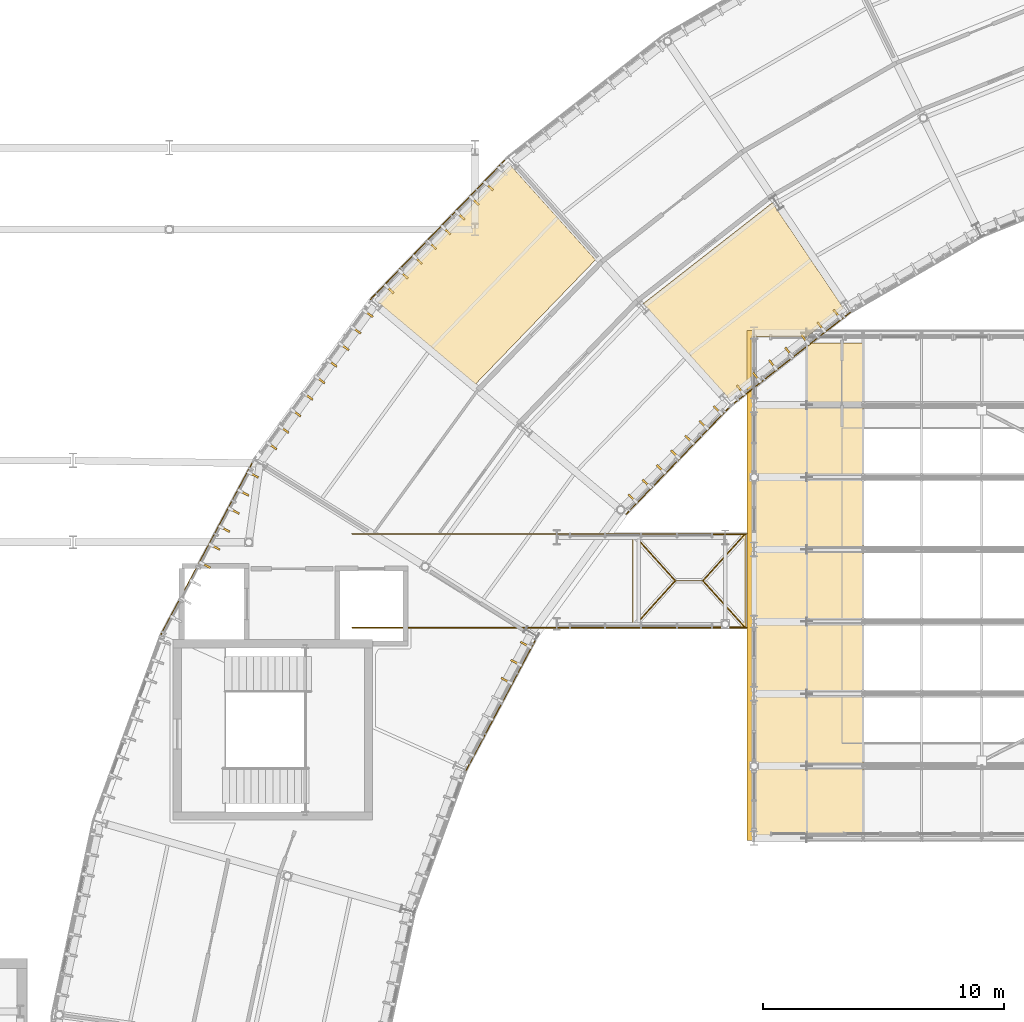
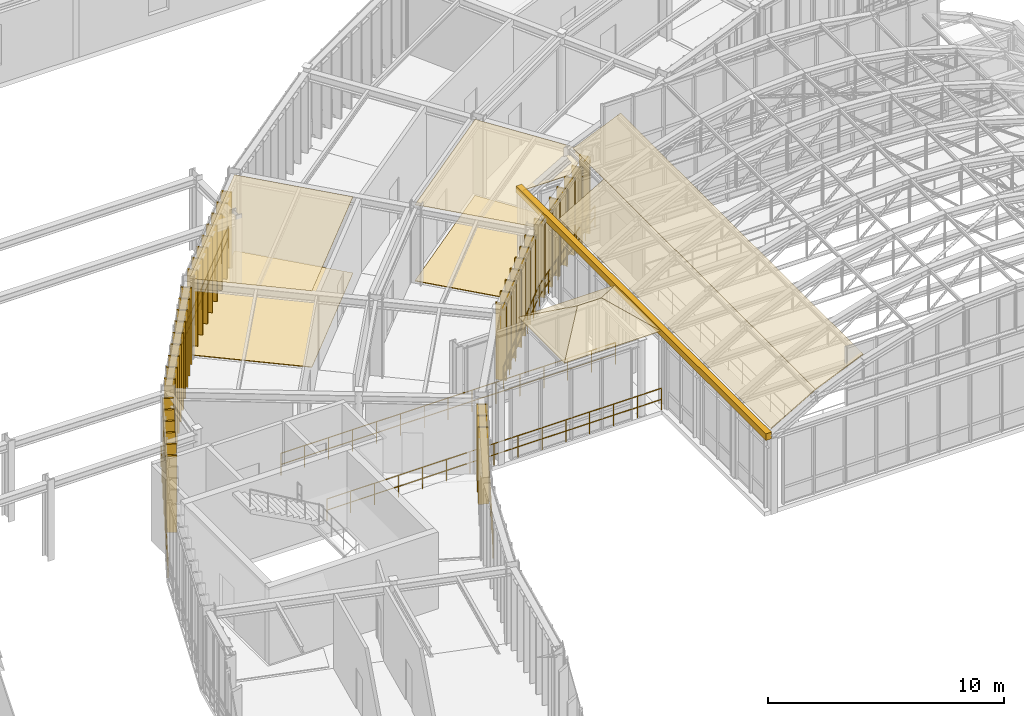
# One storey, part 140 of 148: 51 coverings, 7 railings.
"""IFC4 building model written with IfcOpenShell, lengths in metres."""

from ifc_helpers import new_model, si_unit, direction, frame, origin, origin_2d, place, context, subcontext, project, spatial, polyline, rectangle, circle, outline, extrude, material, layer, layer_set, type_object, element, save


model = new_model("IFC4")

# Units and contexts
model_context = context("Model", 3, precision=1e-05, world=origin(), true_north=direction((0.0, 1.0)))
body_context = subcontext(model_context, "Body", "Model", "MODEL_VIEW")
ifc_project = project(units=[si_unit("LENGTHUNIT", "METRE"), si_unit("AREAUNIT", "SQUARE_METRE"), si_unit("VOLUMEUNIT", "CUBIC_METRE"), si_unit("PLANEANGLEUNIT", "RADIAN"), si_unit("MASSUNIT", "GRAM", prefix="KILO"), si_unit("THERMODYNAMICTEMPERATUREUNIT", "KELVIN"), si_unit("POWERUNIT", "WATT")], contexts=[model_context])

# Site, building, storey
site_placement = place(None, origin())
site = spatial("IfcSite", under=ifc_project, at=site_placement, CompositionType="ELEMENT")
building_placement = place(site_placement, origin())
building = spatial("IfcBuilding", under=site, at=building_placement, Name="Solvatero Civic Police Headquarters", CompositionType="ELEMENT")
storey_placement = place(building_placement, frame((0.0, 0.0, 5.10009765625)))
storey = spatial("IfcBuildingStorey", under=building, at=storey_placement, Name="L01", CompositionType="ELEMENT", Elevation=5.10009765625)

# Coverings
ifc_material_1 = material(Name="Mineral-Fibre Acoustic Tile", Category="gypsum")
ifc_layer_1 = layer(ifc_material_1, 0.02490234375)
ifc_layer_set_1 = layer_set([ifc_layer_1], Name="Mineral-Fibre Acoustic Tile")
covering_type_1 = type_object("IfcCoveringType", Name="COV-CEIL-AC", PredefinedType="CEILING", material=ifc_layer_set_1)
covering_1_placement = place(storey_placement, frame((0.0, 0.0, 3.954833984375)))
element("IfcCovering", 1, at=covering_1_placement, inside=storey, type_object=covering_type_1, Name="Acoustic Ceiling Metropolitan Fraud Investigation Unit Bay 6", PredefinedType="CEILING", context=body_context, shape_type="SweptSolid", body=[
    extrude(outline(polyline([(63.736083984375, 59.790771484375), (60.19677734375, 63.7216796875), (65.560791015625, 67.912353515625), (68.518798828125, 63.52734375), (66.9990234375, 62.340087890625), (64.739990234375, 62.340087890625), (64.732177734375, 62.339599609375), (64.724365234375, 62.33837890625), (64.716796875, 62.336669921875), (64.70947265625, 62.333984375), (64.702392578125, 62.33056640625), (64.695556640625, 62.326416015625), (64.689208984375, 62.32177734375), (64.683349609375, 62.316650390625), (64.67822265625, 62.310791015625), (64.673583984375, 62.304443359375), (64.66943359375, 62.297607421875), (64.666015625, 62.29052734375), (64.663330078125, 62.283203125), (64.66162109375, 62.275634765625), (64.660400390625, 62.267822265625), (64.659912109375, 62.260009765625), (64.659912109375, 60.5126953125), (63.736083984375, 59.790771484375)])), origin(), (0.0, 0.0, 1.0), 0.025146484375),
])
covering_2_placement = place(storey_placement, frame((0.0, 0.0, 3.954833984375)))
element("IfcCovering", 2, at=covering_2_placement, inside=storey, type_object=covering_type_1, Name="Acoustic Ceiling Detective Casework Squad Room Bay 7", PredefinedType="CEILING", context=body_context, shape_type="SweptSolid", body=[
    extrude(outline(polyline([(53.222412109375, 60.373046875), (49.170654296875, 63.77294921875), (54.671630859375, 69.469482421875), (58.2109375, 65.53857421875), (53.222412109375, 60.373046875)])), origin(), (0.0, 0.0, 1.0), 0.025146484375),
])
ifc_material_2 = material(Name="Anodized Bronze Aluminium", Category="aluminium")
ifc_layer_2 = layer(ifc_material_2, 0.080078125)
ifc_layer_set_2 = layer_set([ifc_layer_2], Name="Anodized Bronze Aluminium")
covering_type_2 = type_object("IfcCoveringType", Name="COV-FIN-480", PredefinedType="CLADDING", material=ifc_layer_set_2)
for number, where, z_axis, x_axis, name in (
    (3, (68.257080078125, 63.2724609375, -0.02001953125), (0.0, 0.0, 1.0), (-0.788010753607, -0.615661475326, 0.0), "Vertical Brise-Soleil Fin 0243"),
    (4, (67.587158203125, 62.749267578125, -0.02001953125), (0.0, 0.0, 1.0), (-0.788010753607, -0.615661475326, 0.0), "Vertical Brise-Soleil Fin 0244"),
    (5, (66.91748046875, 62.225830078125, -0.02001953125), (0.0, 0.0, 1.0), (-0.788010753607, -0.615661475326, 0.0), "Vertical Brise-Soleil Fin 0245"),
    (6, (66.24755859375, 61.70263671875, -0.02001953125), (0.0, 0.0, 1.0), (-0.788010753607, -0.615661475326, 0.0), "Vertical Brise-Soleil Fin 0246"),
    (7, (65.577880859375, 61.17919921875, -0.02001953125), (0.0, 0.0, 1.0), (-0.788010753607, -0.615661475326, 0.0), "Vertical Brise-Soleil Fin 0247"),
    (8, (64.907958984375, 60.656005859375, -0.02001953125), (0.0, 0.0, 1.0), (-0.788010753607, -0.615661475326, 0.0), "Vertical Brise-Soleil Fin 0248"),
    (9, (64.23828125, 60.1328125, -0.02001953125), (0.0, 0.0, 1.0), (-0.788010753607, -0.615661475326, 0.0), "Vertical Brise-Soleil Fin 0249"),
    (10, (53.77587890625, 68.59912109375, -0.02001953125), (0.0, 0.0, 1.0), (-0.694645815505, -0.719351924305, 0.0), "Vertical Brise-Soleil Fin 0251"),
    (11, (53.185302734375, 67.987548828125, -0.02001953125), (0.0, 0.0, 1.0), (-0.694645815505, -0.719351924305, 0.0), "Vertical Brise-Soleil Fin 0252"),
    (12, (52.594970703125, 67.376220703125, -0.02001953125), (0.0, 0.0, 1.0), (-0.694645815505, -0.719351924305, 0.0), "Vertical Brise-Soleil Fin 0253"),
    (13, (52.00439453125, 66.7646484375, -0.02001953125), (0.0, 0.0, 1.0), (-0.694645815505, -0.719351924305, 0.0), "Vertical Brise-Soleil Fin 0254"),
    (14, (51.4140625, 66.1533203125, -0.02001953125), (0.0, 0.0, 1.0), (-0.694645815505, -0.719351924305, 0.0), "Vertical Brise-Soleil Fin 0255"),
    (15, (50.823486328125, 65.541748046875, -0.02001953125), (0.0, 0.0, 1.0), (-0.694645815505, -0.719351924305, 0.0), "Vertical Brise-Soleil Fin 0256"),
    (16, (50.233154296875, 64.930419921875, -0.02001953125), (0.0, 0.0, 1.0), (-0.694645815505, -0.719351924305, 0.0), "Vertical Brise-Soleil Fin 0257"),
    (17, (49.642578125, 64.31884765625, -0.02001953125), (0.0, 0.0, 1.0), (-0.694645815505, -0.719351924305, 0.0), "Vertical Brise-Soleil Fin 0258"),
    (18, (63.286865234375, 59.29248046875, -0.02001953125), (0.0, 0.0, 1.0), (-0.694658370459, -0.719339800339, 0.0), "Vertical Brise-Soleil Fin 0259"),
    (19, (62.6962890625, 58.680908203125, -0.02001953125), (0.0, 0.0, 1.0), (-0.694658370459, -0.719339800339, 0.0), "Vertical Brise-Soleil Fin 0260"),
    (20, (62.10595703125, 58.069580078125, -0.02001953125), (0.0, 0.0, 1.0), (-0.694658370459, -0.719339800339, 0.0), "Vertical Brise-Soleil Fin 0261"),
    (21, (61.515380859375, 57.4580078125, -0.02001953125), (0.0, 0.0, 1.0), (-0.694658370459, -0.719339800339, 0.0), "Vertical Brise-Soleil Fin 0262"),
    (22, (60.925048828125, 56.8466796875, -0.02001953125), (0.0, 0.0, 1.0), (-0.694658370459, -0.719339800339, 0.0), "Vertical Brise-Soleil Fin 0263"),
    (23, (60.33447265625, 56.235107421875, -0.02001953125), (0.0, 0.0, 1.0), (-0.694658370459, -0.719339800339, 0.0), "Vertical Brise-Soleil Fin 0264"),
    (24, (59.744140625, 55.623779296875, -0.02001953125), (0.0, 0.0, 1.0), (-0.694658370459, -0.719339800339, 0.0), "Vertical Brise-Soleil Fin 0265"),
    (25, (48.7607421875, 63.3046875, -0.02001953125), (0.0, 0.0, 1.0), (-0.587785252292, -0.809016994375, 0.0), "Vertical Brise-Soleil Fin 0266"),
    (26, (48.260986328125, 62.6171875, -0.02001953125), (0.0, 0.0, 1.0), (-0.587785252292, -0.809016994375, 0.0), "Vertical Brise-Soleil Fin 0267"),
    (27, (47.761474609375, 61.929443359375, -0.02001953125), (0.0, 0.0, 1.0), (-0.587785252292, -0.809016994375, 0.0), "Vertical Brise-Soleil Fin 0268"),
    (28, (47.261962890625, 61.24169921875, -0.02001953125), (0.0, 0.0, 1.0), (-0.587785252292, -0.809016994375, 0.0), "Vertical Brise-Soleil Fin 0269"),
    (29, (46.76220703125, 60.55419921875, -0.02001953125), (0.0, 0.0, 1.0), (-0.587785252292, -0.809016994375, 0.0), "Vertical Brise-Soleil Fin 0270"),
    (30, (46.2626953125, 59.866455078125, -0.02001953125), (0.0, 0.0, 1.0), (-0.587785252292, -0.809016994375, 0.0), "Vertical Brise-Soleil Fin 0271"),
    (31, (45.762939453125, 59.1787109375, -0.02001953125), (0.0, 0.0, 1.0), (-0.587785252292, -0.809016994375, 0.0), "Vertical Brise-Soleil Fin 0272"),
    (32, (45.263427734375, 58.4912109375, -0.02001953125), (0.0, 0.0, 1.0), (-0.587785252292, -0.809016994375, 0.0), "Vertical Brise-Soleil Fin 0273"),
    (33, (44.763916015625, 57.803466796875, -0.02001953125), (0.0, 0.0, 1.0), (-0.587785252292, -0.809016994375, 0.0), "Vertical Brise-Soleil Fin 0274"),
    (34, (43.986572265625, 56.603271484375, -0.02001953125), (0.0, 0.0, 1.0), (-0.469471562786, -0.882947592859, 0.0), "Vertical Brise-Soleil Fin 0275"),
    (35, (43.587646484375, 55.852783203125, -0.02001953125), (0.0, 0.0, 1.0), (-0.469471562786, -0.882947592859, 0.0), "Vertical Brise-Soleil Fin 0276"),
    (36, (43.1884765625, 55.102294921875, -0.02001953125), (0.0, 0.0, 1.0), (-0.469471562786, -0.882947592859, 0.0), "Vertical Brise-Soleil Fin 0277"),
    (37, (42.78955078125, 54.351806640625, -0.02001953125), (0.0, 0.0, 1.0), (-0.469471562786, -0.882947592859, 0.0), "Vertical Brise-Soleil Fin 0278"),
    (38, (42.390380859375, 53.601318359375, -0.02001953125), (0.0, 0.0, 1.0), (-0.469471562786, -0.882947592859, 0.0), "Vertical Brise-Soleil Fin 0279"),
    (39, (41.9912109375, 52.850830078125, -0.02001953125), (0.0, 0.0, 1.0), (-0.469471562786, -0.882947592859, 0.0), "Vertical Brise-Soleil Fin 0280"),
    (40, (55.3046875, 49.5458984375, -0.02001953125), (0.0, 0.0, 1.0), (-0.469471562786, -0.882947592859, 0.0), "Vertical Brise-Soleil Fin 0284"),
    (41, (54.905517578125, 48.79541015625, -0.02001953125), (0.0, 0.0, 1.0), (-0.469471562786, -0.882947592859, 0.0), "Vertical Brise-Soleil Fin 0285"),
    (42, (54.506591796875, 48.044921875, -0.02001953125), (0.0, 0.0, 1.0), (-0.469471562786, -0.882947592859, 0.0), "Vertical Brise-Soleil Fin 0286"),
):
    element("IfcCovering", number, at=place(storey_placement, frame(where, z_axis=z_axis, x_axis=x_axis)), inside=storey, type_object=covering_type_2, Name=name, PredefinedType="CLADDING", context=body_context, shape_type="SweptSolid", body=[
        extrude(rectangle(XDim=0.080078125, YDim=0.47998046875, at=origin_2d()), origin(), (0.0, 0.0, 1.0), 3.97998046875),
    ])
ifc_material_3 = material(Name="Venetian Terrazzo Stone", Category="masonry")
ifc_layer_3 = layer(ifc_material_3, 0.034912109375)
ifc_layer_set_3 = layer_set([ifc_layer_3], Name="Venetian Terrazzo Stone")
covering_type_3 = type_object("IfcCoveringType", Name="COV-FLR-TER", PredefinedType="FLOORING", material=ifc_layer_set_3)
covering_3_placement = place(storey_placement, origin())
element("IfcCovering", 43, at=covering_3_placement, inside=storey, type_object=covering_type_3, Name="Flooring Metropolitan Fraud Investigation Unit Bay 6", PredefinedType="FLOORING", context=body_context, shape_type="SweptSolid", body=[
    extrude(outline(polyline([(63.736083984375, 59.790771484375), (60.19677734375, 63.7216796875), (65.560791015625, 67.912353515625), (68.518798828125, 63.52734375), (66.9990234375, 62.340087890625), (64.739990234375, 62.340087890625), (64.732177734375, 62.339599609375), (64.724365234375, 62.33837890625), (64.716796875, 62.336669921875), (64.70947265625, 62.333984375), (64.702392578125, 62.33056640625), (64.695556640625, 62.326416015625), (64.689208984375, 62.32177734375), (64.683349609375, 62.316650390625), (64.67822265625, 62.310791015625), (64.673583984375, 62.304443359375), (64.66943359375, 62.297607421875), (64.666015625, 62.29052734375), (64.663330078125, 62.283203125), (64.66162109375, 62.275634765625), (64.660400390625, 62.267822265625), (64.659912109375, 62.260009765625), (64.659912109375, 60.5126953125), (63.736083984375, 59.790771484375)])), origin(), (0.0, 0.0, 1.0), 0.034912109375),
])
covering_4_placement = place(storey_placement, origin())
element("IfcCovering", 44, at=covering_4_placement, inside=storey, type_object=covering_type_3, Name="Flooring Detective Casework Squad Room Bay 7", PredefinedType="FLOORING", context=body_context, shape_type="SweptSolid", body=[
    extrude(outline(polyline([(53.222412109375, 60.373046875), (49.170654296875, 63.77294921875), (54.671630859375, 69.469482421875), (58.2109375, 65.53857421875), (53.222412109375, 60.373046875)])), origin(), (0.0, 0.0, 1.0), 0.034912109375),
])
ifc_material_4 = material(Name="Lombard Terracotta Clay Tile", Category="masonry")
ifc_layer_4 = layer(ifc_material_4, 0.06005859375)
ifc_layer_set_4 = layer_set([ifc_layer_4], Name="Lombard Terracotta Clay Tile")
covering_type_4 = type_object("IfcCoveringType", Name="COV-RF-TILE", PredefinedType="ROOFING", material=ifc_layer_set_4)
for number, where, z_axis, x_axis, name in (
    (45, (59.739990234375, 50.239990234375, 4.10986328125), (0.0, -0.506113714049, 0.862466757882), (1.0, 0.0, 0.0), "V2LKR Lombard Terracotta Hipped Roof Covering S"),
    (46, (64.4599609375, 54.159912109375, 4.10986328125), (0.0, 0.506113714049, 0.862466757882), (-1.0, 0.0, 0.0), "V2LKR Lombard Terracotta Hipped Roof Covering N"),
):
    element("IfcCovering", number, at=place(storey_placement, frame(where, z_axis=z_axis, x_axis=x_axis)), inside=storey, type_object=covering_type_4, Name=name, PredefinedType="ROOFING", context=body_context, shape_type="SweptSolid", body=[
        extrude(outline(polyline([(0.0, 0.0), (4.719970703125, 0.0), (2.949951171875, 2.2725060642484656), (1.77001953125, 2.2725060642484656), (0.0, 0.0)])), origin(), (0.0, 0.0, -1.0), 0.06005859375),
    ])
for number, where, z_axis, x_axis, name in (
    (47, (59.739990234375, 54.159912109375, 4.10986328125), (-0.544866385257, 0.0, 0.838522881153), (0.0, -1.0, 0.0), "V2LKR Lombard Terracotta Hipped Roof Covering W"),
    (48, (64.4599609375, 50.239990234375, 4.10986328125), (0.544866385257, 0.0, 0.838522881153), (0.0, 1.0, 0.0), "V2LKR Lombard Terracotta Hipped Roof Covering E"),
):
    element("IfcCovering", number, at=place(storey_placement, frame(where, z_axis=z_axis, x_axis=x_axis)), inside=storey, type_object=covering_type_4, Name=name, PredefinedType="ROOFING", context=body_context, shape_type="SweptSolid", body=[
        extrude(outline(polyline([(0.0, 0.0), (3.919921875, 0.0), (1.9599609375, 2.110878034498119), (0.0, 0.0)])), origin(), (0.0, 0.0, -1.0), 0.06005859375),
    ])
ifc_layer_5 = layer(ifc_material_2, 0.0400390625)
ifc_layer_set_5 = layer_set([ifc_layer_5], Name="Anodized Bronze Aluminium")
covering_type_5 = type_object("IfcCoveringType", Name="COV-RF-ZINC", PredefinedType="ROOFING", material=ifc_layer_set_5)
covering_5_placement = place(storey_placement, frame((64.800048828125, 41.5, 4.239990234375), z_axis=(-0.500861974831, 0.0, 0.865527170093), x_axis=(0.865527170093, 0.0, 0.500861974831)))
element("IfcCovering", 49, at=covering_5_placement, inside=storey, type_object=covering_type_5, Name="VLT2 Standing-Seam Vault Roof Covering 1", PredefinedType="ROOFING", context=body_context, shape_type="SweptSolid", body=[
    extrude(outline(polyline([(0.0, 0.0), (2.5400546673651396, 0.0), (2.5400546673651396, 17.949951171875), (0.0, 17.949951171875), (0.0, 0.0)])), origin(), (0.0, 0.0, -1.0), 0.0400390625),
])
covering_6_placement = place(storey_placement, frame((66.99853515625, 41.5, 5.51220703125), z_axis=(-0.396771081377, 0.0, 0.917917593787), x_axis=(0.917917593787, 0.0, 0.396771081377)))
element("IfcCovering", 50, at=covering_6_placement, inside=storey, type_object=covering_type_5, Name="VLT2 Standing-Seam Vault Roof Covering 2", PredefinedType="ROOFING", context=body_context, shape_type="SweptSolid", body=[
    extrude(outline(polyline([(0.0, 0.0), (2.540035167135253, 0.0), (2.540035167135253, 20.580078125), (0.0, 20.580078125), (0.0, 0.0)])), origin(), (0.0, 0.0, -1.0), 0.0400390625),
])
ifc_material_5 = material(Name="Cream Limestone Ashlar", Category="masonry")
ifc_layer_6 = layer(ifc_material_5, 0.10009765625)
ifc_layer_set_6 = layer_set([ifc_layer_6], Name="Cream Limestone Ashlar")
covering_type_6 = type_object("IfcCoveringType", Name="COV-TRIM-STONE", PredefinedType="CLADDING", material=ifc_layer_set_6)
covering_7_placement = place(storey_placement, frame((64.64990234375, 52.0, 3.77978515625), z_axis=(0.0, 0.0, 1.0), x_axis=(1.0, 0.0, 0.0)))
element("IfcCovering", 51, at=covering_7_placement, inside=storey, type_object=covering_type_6, Name="Classical Limestone Trim TRIM-V2-L01-EAVE-W", PredefinedType="CLADDING", context=body_context, shape_type="SweptSolid", body=[
    extrude(rectangle(XDim=0.280029296875, YDim=21.199951171875, at=origin_2d()), origin(), (0.0, 0.0, 1.0), 0.340087890625),
])

# Railings
ifc_material_6 = material(Name="Anodized Bronze and Laminated Glass", Category="glass")
railing_type = type_object("IfcRailingType", Name="RL-BAL-115", PredefinedType="BALUSTRADE", material=ifc_material_6)
railing_1_placement = place(storey_placement, frame((48.10009765625, 50.25, 0.0)))
element("IfcRailing", 52, at=railing_1_placement, inside=storey, type_object=railing_type, Name="Glazed Facade Sill Balustrade RL-L01-V2LK-S", PredefinedType="BALUSTRADE", context=body_context, shape_type="SweptSolid", body=[
    extrude(circle(Radius=0.02392578125, at=origin_2d()), frame((0.0, 0.0, 1.1259765625), z_axis=(1.0, 0.0, 0.0), x_axis=(0.0, 1.0, 0.0)), (0.0, 0.0, 1.0), 16.39990234375),
    extrude(circle(Radius=0.02392578125, at=origin_2d()), frame((0.0, 0.0, 0.55078125), z_axis=(1.0, 0.0, 0.0), x_axis=(0.0, 1.0, 0.0)), (0.0, 0.0, 1.0), 16.39990234375),
    extrude(circle(Radius=0.02099609375, at=origin_2d()), origin(), (0.0, 0.0, 1.0), 1.101806640625),
    extrude(circle(Radius=0.02099609375, at=origin_2d()), frame((1.17138671875, 0.0, 0.0)), (0.0, 0.0, 1.0), 1.101806640625),
    extrude(circle(Radius=0.02099609375, at=origin_2d()), frame((2.3427734375, 0.0, 0.0)), (0.0, 0.0, 1.0), 1.101806640625),
    extrude(circle(Radius=0.02099609375, at=origin_2d()), frame((3.51416015625, 0.0, 0.0)), (0.0, 0.0, 1.0), 1.101806640625),
    extrude(circle(Radius=0.02099609375, at=origin_2d()), frame((4.685791015625, 0.0, 0.0)), (0.0, 0.0, 1.0), 1.101806640625),
    extrude(circle(Radius=0.02099609375, at=origin_2d()), frame((5.857177734375, 0.0, 0.0)), (0.0, 0.0, 1.0), 1.101806640625),
    extrude(circle(Radius=0.02099609375, at=origin_2d()), frame((7.028564453125, 0.0, 0.0)), (0.0, 0.0, 1.0), 1.101806640625),
    extrude(circle(Radius=0.02099609375, at=origin_2d()), frame((8.199951171875, 0.0, 0.0)), (0.0, 0.0, 1.0), 1.101806640625),
    extrude(circle(Radius=0.02099609375, at=origin_2d()), frame((9.371337890625, 0.0, 0.0)), (0.0, 0.0, 1.0), 1.101806640625),
    extrude(circle(Radius=0.02099609375, at=origin_2d()), frame((10.542724609375, 0.0, 0.0)), (0.0, 0.0, 1.0), 1.101806640625),
    extrude(circle(Radius=0.02099609375, at=origin_2d()), frame((11.714111328125, 0.0, 0.0)), (0.0, 0.0, 1.0), 1.101806640625),
    extrude(circle(Radius=0.02099609375, at=origin_2d()), frame((12.8857421875, 0.0, 0.0)), (0.0, 0.0, 1.0), 1.101806640625),
    extrude(circle(Radius=0.02099609375, at=origin_2d()), frame((14.05712890625, 0.0, 0.0)), (0.0, 0.0, 1.0), 1.101806640625),
    extrude(circle(Radius=0.02099609375, at=origin_2d()), frame((15.228515625, 0.0, 0.0)), (0.0, 0.0, 1.0), 1.101806640625),
    extrude(circle(Radius=0.02099609375, at=origin_2d()), frame((16.39990234375, 0.0, 0.0)), (0.0, 0.0, 1.0), 1.101806640625),
])
railing_2_placement = place(storey_placement, frame((48.10009765625, 54.14990234375, 0.0)))
element("IfcRailing", 53, at=railing_2_placement, inside=storey, type_object=railing_type, Name="Glazed Facade Sill Balustrade RL-L01-V2LK-N", PredefinedType="BALUSTRADE", context=body_context, shape_type="SweptSolid", body=[
    extrude(circle(Radius=0.02392578125, at=origin_2d()), frame((0.0, 0.0, 1.1259765625), z_axis=(1.0, 0.0, 0.0), x_axis=(0.0, 1.0, 0.0)), (0.0, 0.0, 1.0), 16.39990234375),
    extrude(circle(Radius=0.02392578125, at=origin_2d()), frame((0.0, 0.0, 0.55078125), z_axis=(1.0, 0.0, 0.0), x_axis=(0.0, 1.0, 0.0)), (0.0, 0.0, 1.0), 16.39990234375),
    extrude(circle(Radius=0.02099609375, at=origin_2d()), origin(), (0.0, 0.0, 1.0), 1.101806640625),
    extrude(circle(Radius=0.02099609375, at=origin_2d()), frame((1.17138671875, 0.0, 0.0)), (0.0, 0.0, 1.0), 1.101806640625),
    extrude(circle(Radius=0.02099609375, at=origin_2d()), frame((2.3427734375, 0.0, 0.0)), (0.0, 0.0, 1.0), 1.101806640625),
    extrude(circle(Radius=0.02099609375, at=origin_2d()), frame((3.51416015625, 0.0, 0.0)), (0.0, 0.0, 1.0), 1.101806640625),
    extrude(circle(Radius=0.02099609375, at=origin_2d()), frame((4.685791015625, 0.0, 0.0)), (0.0, 0.0, 1.0), 1.101806640625),
    extrude(circle(Radius=0.02099609375, at=origin_2d()), frame((5.857177734375, 0.0, 0.0)), (0.0, 0.0, 1.0), 1.101806640625),
    extrude(circle(Radius=0.02099609375, at=origin_2d()), frame((7.028564453125, 0.0, 0.0)), (0.0, 0.0, 1.0), 1.101806640625),
    extrude(circle(Radius=0.02099609375, at=origin_2d()), frame((8.199951171875, 0.0, 0.0)), (0.0, 0.0, 1.0), 1.101806640625),
    extrude(circle(Radius=0.02099609375, at=origin_2d()), frame((9.371337890625, 0.0, 0.0)), (0.0, 0.0, 1.0), 1.101806640625),
    extrude(circle(Radius=0.02099609375, at=origin_2d()), frame((10.542724609375, 0.0, 0.0)), (0.0, 0.0, 1.0), 1.101806640625),
    extrude(circle(Radius=0.02099609375, at=origin_2d()), frame((11.714111328125, 0.0, 0.0)), (0.0, 0.0, 1.0), 1.101806640625),
    extrude(circle(Radius=0.02099609375, at=origin_2d()), frame((12.8857421875, 0.0, 0.0)), (0.0, 0.0, 1.0), 1.101806640625),
    extrude(circle(Radius=0.02099609375, at=origin_2d()), frame((14.05712890625, 0.0, 0.0)), (0.0, 0.0, 1.0), 1.101806640625),
    extrude(circle(Radius=0.02099609375, at=origin_2d()), frame((15.228515625, 0.0, 0.0)), (0.0, 0.0, 1.0), 1.101806640625),
    extrude(circle(Radius=0.02099609375, at=origin_2d()), frame((16.39990234375, 0.0, 0.0)), (0.0, 0.0, 1.0), 1.101806640625),
])
railing_3_placement = place(storey_placement, frame((68.802734375, 63.3564453125, 0.0)))
element("IfcRailing", 54, at=railing_3_placement, inside=storey, type_object=railing_type, Name="Glazed Facade Sill Balustrade RL-L01-ARCIN-B06", PredefinedType="BALUSTRADE", context=body_context, shape_type="SweptSolid", body=[
    extrude(circle(Radius=0.02392578125, at=origin_2d()), frame((0.0, 0.0, 1.1259765625), z_axis=(-0.787997288522, -0.61567870946, 0.0), x_axis=(0.61567870946, -0.787997288522, 0.0)), (0.0, 0.0, 1.0), 6.286376953125),
    extrude(circle(Radius=0.02392578125, at=origin_2d()), frame((0.0, 0.0, 0.55078125), z_axis=(-0.787997288522, -0.61567870946, 0.0), x_axis=(0.61567870946, -0.787997288522, 0.0)), (0.0, 0.0, 1.0), 6.286376953125),
    extrude(circle(Radius=0.02099609375, at=origin_2d()), origin(), (0.0, 0.0, 1.0), 1.101806640625),
    extrude(circle(Radius=0.02099609375, at=origin_2d()), frame((-0.82568359375, -0.64501953125, 0.0)), (0.0, 0.0, 1.0), 1.101806640625),
    extrude(circle(Radius=0.02099609375, at=origin_2d()), frame((-1.651123046875, -1.2900390625, 0.0)), (0.0, 0.0, 1.0), 1.101806640625),
    extrude(circle(Radius=0.02099609375, at=origin_2d()), frame((-2.476806640625, -1.93505859375, 0.0)), (0.0, 0.0, 1.0), 1.101806640625),
    extrude(circle(Radius=0.02099609375, at=origin_2d()), frame((-3.302490234375, -2.580322265625, 0.0)), (0.0, 0.0, 1.0), 1.101806640625),
    extrude(circle(Radius=0.02099609375, at=origin_2d()), frame((-4.1279296875, -3.225341796875, 0.0)), (0.0, 0.0, 1.0), 1.101806640625),
    extrude(circle(Radius=0.02099609375, at=origin_2d()), frame((-4.95361328125, -3.870361328125, 0.0)), (0.0, 0.0, 1.0), 1.101806640625),
])
railing_4_placement = place(storey_placement, frame((63.84912109375, 59.486083984375, 0.0)))
element("IfcRailing", 55, at=railing_4_placement, inside=storey, type_object=railing_type, Name="Glazed Facade Sill Balustrade RL-L01-ARCIN-B07", PredefinedType="BALUSTRADE", context=body_context, shape_type="SweptSolid", body=[
    extrude(circle(Radius=0.02392578125, at=origin_2d()), frame((0.0, 0.0, 1.1259765625), z_axis=(-0.694688764394, -0.719310448016, 0.0), x_axis=(0.719310448016, -0.694688764394, 0.0)), (0.0, 0.0, 1.0), 6.28662109375),
    extrude(circle(Radius=0.02392578125, at=origin_2d()), frame((0.0, 0.0, 0.55078125), z_axis=(-0.694688764394, -0.719310448016, 0.0), x_axis=(0.719310448016, -0.694688764394, 0.0)), (0.0, 0.0, 1.0), 6.28662109375),
    extrude(circle(Radius=0.02099609375, at=origin_2d()), origin(), (0.0, 0.0, 1.0), 1.101806640625),
    extrude(circle(Radius=0.02099609375, at=origin_2d()), frame((-0.727783203125, -0.753662109375, 0.0)), (0.0, 0.0, 1.0), 1.101806640625),
    extrude(circle(Radius=0.02099609375, at=origin_2d()), frame((-1.455810546875, -1.50732421875, 0.0)), (0.0, 0.0, 1.0), 1.101806640625),
    extrude(circle(Radius=0.02099609375, at=origin_2d()), frame((-2.18359375, -2.260986328125, 0.0)), (0.0, 0.0, 1.0), 1.101806640625),
    extrude(circle(Radius=0.02099609375, at=origin_2d()), frame((-2.911376953125, -3.0146484375, 0.0)), (0.0, 0.0, 1.0), 1.101806640625),
    extrude(circle(Radius=0.02099609375, at=origin_2d()), frame((-3.639404296875, -3.768310546875, 0.0)), (0.0, 0.0, 1.0), 1.101806640625),
    extrude(circle(Radius=0.02099609375, at=origin_2d()), frame((-4.3671875, -4.52197265625, 0.0)), (0.0, 0.0, 1.0), 1.101806640625),
])
railing_5_placement = place(storey_placement, frame((54.561279296875, 69.801025390625, 0.0)))
element("IfcRailing", 56, at=railing_5_placement, inside=storey, type_object=railing_type, Name="Glazed Facade Sill Balustrade RL-L01-ARCOUT-B07", PredefinedType="BALUSTRADE", context=body_context, shape_type="SweptSolid", body=[
    extrude(circle(Radius=0.02392578125, at=origin_2d()), frame((0.0, 0.0, 1.1259765625), z_axis=(-0.694647498592, -0.71935029902, 0.0), x_axis=(0.71935029902, -0.694647498592, 0.0)), (0.0, 0.0, 1.0), 8.22265625),
    extrude(circle(Radius=0.02392578125, at=origin_2d()), frame((0.0, 0.0, 0.55078125), z_axis=(-0.694647498592, -0.71935029902, 0.0), x_axis=(0.71935029902, -0.694647498592, 0.0)), (0.0, 0.0, 1.0), 8.22265625),
    extrude(circle(Radius=0.02099609375, at=origin_2d()), origin(), (0.0, 0.0, 1.0), 1.101806640625),
    extrude(circle(Radius=0.02099609375, at=origin_2d()), frame((-0.81591796875, -0.844970703125, 0.0)), (0.0, 0.0, 1.0), 1.101806640625),
    extrude(circle(Radius=0.02099609375, at=origin_2d()), frame((-1.632080078125, -1.68994140625, 0.0)), (0.0, 0.0, 1.0), 1.101806640625),
    extrude(circle(Radius=0.02099609375, at=origin_2d()), frame((-2.447998046875, -2.534912109375, 0.0)), (0.0, 0.0, 1.0), 1.101806640625),
    extrude(circle(Radius=0.02099609375, at=origin_2d()), frame((-3.263916015625, -3.380126953125, 0.0)), (0.0, 0.0, 1.0), 1.101806640625),
    extrude(circle(Radius=0.02099609375, at=origin_2d()), frame((-4.079833984375, -4.22509765625, 0.0)), (0.0, 0.0, 1.0), 1.101806640625),
    extrude(circle(Radius=0.02099609375, at=origin_2d()), frame((-4.89599609375, -5.070068359375, 0.0)), (0.0, 0.0, 1.0), 1.101806640625),
    extrude(circle(Radius=0.02099609375, at=origin_2d()), frame((-5.7119140625, -5.9150390625, 0.0)), (0.0, 0.0, 1.0), 1.101806640625),
])
railing_6_placement = place(storey_placement, frame((55.787109375, 49.878173828125, 0.0)))
element("IfcRailing", 57, at=railing_6_placement, inside=storey, type_object=railing_type, Name="Glazed Facade Sill Balustrade RL-L01-ARCIN-B09", PredefinedType="BALUSTRADE", context=body_context, shape_type="SweptSolid", body=[
    extrude(circle(Radius=0.02392578125, at=origin_2d()), frame((0.0, 0.0, 1.1259765625), z_axis=(-0.469489306855, -0.882938157941, 0.0), x_axis=(0.882938157941, -0.469489306855, 0.0)), (0.0, 0.0, 1.0), 6.286376953125),
    extrude(circle(Radius=0.02392578125, at=origin_2d()), frame((0.0, 0.0, 0.55078125), z_axis=(-0.469489306855, -0.882938157941, 0.0), x_axis=(0.882938157941, -0.469489306855, 0.0)), (0.0, 0.0, 1.0), 6.286376953125),
    extrude(circle(Radius=0.02099609375, at=origin_2d()), origin(), (0.0, 0.0, 1.0), 1.101806640625),
    extrude(circle(Radius=0.02099609375, at=origin_2d()), frame((-0.491943359375, -0.925048828125, 0.0)), (0.0, 0.0, 1.0), 1.101806640625),
    extrude(circle(Radius=0.02099609375, at=origin_2d()), frame((-0.98388671875, -1.85009765625, 0.0)), (0.0, 0.0, 1.0), 1.101806640625),
    extrude(circle(Radius=0.02099609375, at=origin_2d()), frame((-1.4755859375, -2.775390625, 0.0)), (0.0, 0.0, 1.0), 1.101806640625),
    extrude(circle(Radius=0.02099609375, at=origin_2d()), frame((-1.967529296875, -3.700439453125, 0.0)), (0.0, 0.0, 1.0), 1.101806640625),
    extrude(circle(Radius=0.02099609375, at=origin_2d()), frame((-2.45947265625, -4.62548828125, 0.0)), (0.0, 0.0, 1.0), 1.101806640625),
    extrude(circle(Radius=0.02099609375, at=origin_2d()), frame((-2.951416015625, -5.550537109375, 0.0)), (0.0, 0.0, 1.0), 1.101806640625),
])
railing_7_placement = place(storey_placement, frame((44.01611328125, 57.2333984375, 0.0)))
element("IfcRailing", 58, at=railing_7_placement, inside=storey, type_object=railing_type, Name="Glazed Facade Sill Balustrade RL-L01-ARCOUT-B09", PredefinedType="BALUSTRADE", context=body_context, shape_type="SweptSolid", body=[
    extrude(circle(Radius=0.02392578125, at=origin_2d()), frame((0.0, 0.0, 1.1259765625), z_axis=(-0.469495286037, -0.882934978573, 0.0), x_axis=(0.882934978573, -0.469495286037, 0.0)), (0.0, 0.0, 1.0), 8.222900390625),
    extrude(circle(Radius=0.02392578125, at=origin_2d()), frame((0.0, 0.0, 0.55078125), z_axis=(-0.469495286037, -0.882934978573, 0.0), x_axis=(0.882934978573, -0.469495286037, 0.0)), (0.0, 0.0, 1.0), 8.222900390625),
    extrude(circle(Radius=0.02099609375, at=origin_2d()), origin(), (0.0, 0.0, 1.0), 1.101806640625),
    extrude(circle(Radius=0.02099609375, at=origin_2d()), frame((-0.551513671875, -1.037109375, 0.0)), (0.0, 0.0, 1.0), 1.101806640625),
    extrude(circle(Radius=0.02099609375, at=origin_2d()), frame((-1.10302734375, -2.074462890625, 0.0)), (0.0, 0.0, 1.0), 1.101806640625),
    extrude(circle(Radius=0.02099609375, at=origin_2d()), frame((-1.654541015625, -3.111572265625, 0.0)), (0.0, 0.0, 1.0), 1.101806640625),
    extrude(circle(Radius=0.02099609375, at=origin_2d()), frame((-2.2060546875, -4.148681640625, 0.0)), (0.0, 0.0, 1.0), 1.101806640625),
    extrude(circle(Radius=0.02099609375, at=origin_2d()), frame((-2.757568359375, -5.185791015625, 0.0)), (0.0, 0.0, 1.0), 1.101806640625),
    extrude(circle(Radius=0.02099609375, at=origin_2d()), frame((-3.30908203125, -6.22314453125, 0.0)), (0.0, 0.0, 1.0), 1.101806640625),
    extrude(circle(Radius=0.02099609375, at=origin_2d()), frame((-3.860595703125, -7.26025390625, 0.0)), (0.0, 0.0, 1.0), 1.101806640625),
])

save(model, "model.ifc")
